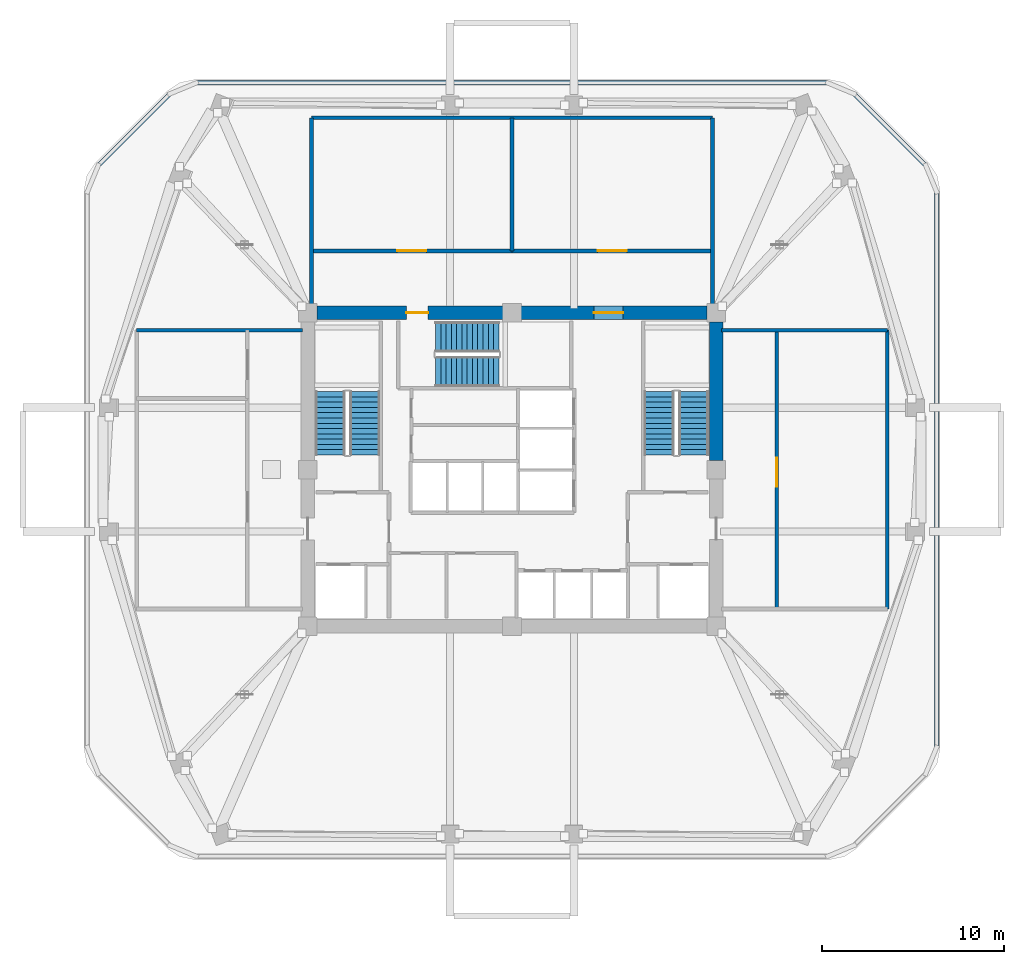
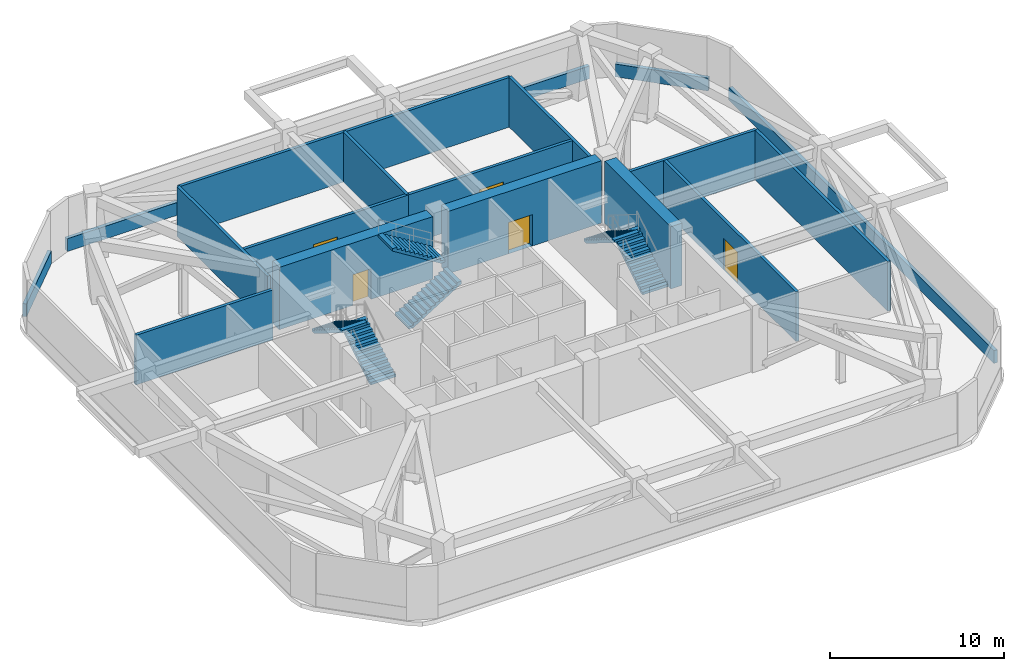
# One storey, part 5 of 8: 17 walls, 6 stair flights, 5 doors, 5 openings, 3 elements without a shape of their own.
"""IFC4 building model written with IfcOpenShell, lengths in metres."""

from ifc_helpers import new_model, si_unit, derived_unit, direction, frame, frame_2d, origin, place, context, subcontext, project, spatial, polyline, rectangle, outline, extrude, material, layer, layer_set, type_object, element, fill, aggregate, save


model = new_model("IFC4")

# Units and contexts
model_context = context("Model", 3, precision=1e-05, world=origin(), true_north=direction((0.0, 1.0)))
body_context = subcontext(model_context, "Body", "Model", "MODEL_VIEW")
ifc_project = project(units=[si_unit("LENGTHUNIT", "METRE"), si_unit("AREAUNIT", "SQUARE_METRE"), si_unit("VOLUMEUNIT", "CUBIC_METRE"), si_unit("PLANEANGLEUNIT", "RADIAN"), si_unit("MASSUNIT", "GRAM", prefix="KILO"), derived_unit("THERMALTRANSMITTANCEUNIT", [(si_unit("POWERUNIT", "WATT"), 1), (si_unit("LENGTHUNIT", "METRE"), -2), (si_unit("THERMODYNAMICTEMPERATUREUNIT", "KELVIN"), -1)])], contexts=[model_context])

# Site, building, storey
site_placement = place(None, origin())
site = spatial("IfcSite", under=ifc_project, at=site_placement, CompositionType="ELEMENT")
building_placement = place(site_placement, origin())
building = spatial("IfcBuilding", under=site, at=building_placement, Name="Koralith Skygarden Medical Center", CompositionType="ELEMENT")
storey_placement = place(building_placement, frame((0.0, 0.0, 178.02001953125)))
storey = spatial("IfcBuildingStorey", under=building, at=storey_placement, Name="L46", CompositionType="ELEMENT", Elevation=178.02001953125)

# Walls
ifc_material_1 = material(Name="Gypsum Board Partition")
ifc_layer_1 = layer(ifc_material_1, 0.199951171875)
ifc_layer_set_1 = layer_set([ifc_layer_1], Name="Gypsum Board Partition")
wall_type_1 = type_object("IfcWallType", Name="Fire Shaft Wall 200", PredefinedType="SOLIDWALL", material=ifc_layer_set_1)
for number, where, z_axis, x_axis, name in (
    (1, (26.0, 34.800048828125, 0.0), (0.0, 0.0, 1.0), (0.0, 1.0, 0.0), "L46 Fire Shaft Wall 200 W-PL-L46-NC-W"),
    (2, (48.0, 34.800048828125, 0.0), (0.0, 0.0, 1.0), (0.0, 1.0, 0.0), "L46 Fire Shaft Wall 200 W-PL-L46-NC-E"),
):
    element("IfcWall", number, at=place(storey_placement, frame(where, z_axis=z_axis, x_axis=x_axis)), inside=storey, type_object=wall_type_1, Name=name, PredefinedType="SOLIDWALL", context=body_context, shape_type="SweptSolid", body=[
        extrude(rectangle(XDim=10.39990234375, YDim=0.199951171875, at=frame_2d((5.199951171875, 0.0))), origin(), (0.0, 0.0, 1.0), 3.489990234375),
    ])
wall_1_placement = place(storey_placement, frame((26.0, 45.199951171875, 0.0), z_axis=(0.0, 0.0, 1.0), x_axis=(1.0, 0.0, 0.0)))
element("IfcWall", 3, at=wall_1_placement, inside=storey, type_object=wall_type_1, Name="L46 Fire Shaft Wall 200 W-PL-L46-NP-N", PredefinedType="SOLIDWALL", context=body_context, shape_type="SweptSolid", body=[
    extrude(rectangle(XDim=22.0, YDim=0.199951171875, at=frame_2d((11.0, 0.0))), origin(), (0.0, 0.0, 1.0), 3.489990234375),
])
wall_2_placement = place(storey_placement, frame((37.0, 37.89990234375, 0.0), z_axis=(0.0, 0.0, 1.0), x_axis=(0.0, 1.0, 0.0)))
element("IfcWall", 4, at=wall_2_placement, inside=storey, type_object=wall_type_1, Name="L46 Fire Shaft Wall 200 W-PL-L46-NP-M", PredefinedType="SOLIDWALL", context=body_context, shape_type="SweptSolid", body=[
    extrude(rectangle(XDim=7.300048828125, YDim=0.199951171875, at=frame_2d((3.64990234375, 0.0))), origin(), (0.0, 0.0, 1.0), 3.489990234375),
])

# Wall, opening, door
wall_3_placement = place(storey_placement, frame((26.0, 37.89990234375, 0.0), z_axis=(0.0, 0.0, 1.0), x_axis=(1.0, 0.0, 0.0)))
wall_3 = element("IfcWall", 5, at=wall_3_placement, inside=storey, type_object=wall_type_1, Name="L46 Fire Shaft Wall 200 W-PL-L46-NC-N1", PredefinedType="SOLIDWALL", context=body_context, shape_type="SweptSolid", body=[
    extrude(rectangle(XDim=11.0, YDim=0.199951171875, at=frame_2d((5.5, 0.0))), origin(), (0.0, 0.0, 1.0), 3.489990234375),
])
opening_1_placement = place(wall_3_placement, frame((4.699951171875, 0.0, 0.0)))
opening_1 = element("IfcOpeningElement", 6, at=opening_1_placement, cuts=wall_3, Name="Opening D-DBL", PredefinedType="OPENING", context=body_context, shape_type="SweptSolid", body=[
    extrude(rectangle(XDim=1.60009765625, YDim=2.199951171875, at=frame_2d((0.800048828125, 1.10009765625))), frame((0.0, 0.10986328125, 0.0), z_axis=(0.0, -1.0, 0.0), x_axis=(1.0, 0.0, 0.0)), (0.0, 0.0, 1.0), 0.219970703125),
])
ifc_material_2 = material(Name="Aluminium 6063-T6", Category="aluminium")
door_type_1 = type_object("IfcDoorType", Name="Double Clinical Suite Door D-DBL 1600", OperationType="NOTDEFINED", PredefinedType="DOOR", material=ifc_material_2)
door_1_placement = place(opening_1_placement, origin())
door_1 = element("IfcDoor", 7, at=door_1_placement, inside=storey, type_object=door_type_1, Name="L46 Central Chiller and Heat Rejection Plant Room Fire Door", OperationType="DOUBLE_DOOR_SINGLE_SWING", OverallHeight=2.199951171875, OverallWidth=1.60009765625, PredefinedType="DOOR", context=body_context, shape_type="SweptSolid", body=[
    extrude(rectangle(XDim=1.60009765625, YDim=2.199951171875, at=frame_2d((0.800048828125, 1.10009765625))), frame((0.0, 0.02490234375, 0.0), z_axis=(0.0, -1.0, 0.0), x_axis=(1.0, 0.0, 0.0)), (0.0, 0.0, 1.0), 0.050048828125),
])
fill(opening_1, door_1)

wall_4_placement = place(storey_placement, frame((37.0, 37.89990234375, 0.0), z_axis=(0.0, 0.0, 1.0), x_axis=(1.0, 0.0, 0.0)))
wall_4 = element("IfcWall", 8, at=wall_4_placement, inside=storey, type_object=wall_type_1, Name="L46 Fire Shaft Wall 200 W-PL-L46-NC-N2", PredefinedType="SOLIDWALL", context=body_context, shape_type="SweptSolid", body=[
    extrude(rectangle(XDim=11.0, YDim=0.199951171875, at=frame_2d((5.5, 0.0))), origin(), (0.0, 0.0, 1.0), 3.489990234375),
])
opening_2_placement = place(wall_4_placement, frame((4.699951171875, 0.0, 0.0)))
opening_2 = element("IfcOpeningElement", 9, at=opening_2_placement, cuts=wall_4, Name="Opening D-DBL", PredefinedType="OPENING", context=body_context, shape_type="SweptSolid", body=[
    extrude(rectangle(XDim=1.60009765625, YDim=2.199951171875, at=frame_2d((0.800048828125, 1.10009765625))), frame((0.0, 0.10986328125, 0.0), z_axis=(0.0, -1.0, 0.0), x_axis=(1.0, 0.0, 0.0)), (0.0, 0.0, 1.0), 0.219970703125),
])
door_2_placement = place(opening_2_placement, origin())
door_2 = element("IfcDoor", 10, at=door_2_placement, inside=storey, type_object=door_type_1, Name="L46 Clinical AHU and Essential Switchgear Plant Room Fire Door", OperationType="DOUBLE_DOOR_SINGLE_SWING", OverallHeight=2.199951171875, OverallWidth=1.60009765625, PredefinedType="DOOR", context=body_context, shape_type="SweptSolid", body=[
    extrude(rectangle(XDim=1.60009765625, YDim=2.199951171875, at=frame_2d((0.800048828125, 1.10009765625))), frame((0.0, 0.02490234375, 0.0), z_axis=(0.0, -1.0, 0.0), x_axis=(1.0, 0.0, 0.0)), (0.0, 0.0, 1.0), 0.050048828125),
])
fill(opening_2, door_2)

# Walls
for number, where, z_axis, x_axis, name in (
    (11, (16.39990234375, 33.550048828125, 0.0), (0.0, 0.0, 1.0), (1.0, 0.0, 0.0), "L46 Fire Shaft Wall 200 W-PL-L46-WC-N"),
    (12, (48.5, 33.550048828125, 0.0), (0.0, 0.0, 1.0), (1.0, 0.0, 0.0), "L46 Fire Shaft Wall 200 W-PL-L46-EC-N"),
):
    element("IfcWall", number, at=place(storey_placement, frame(where, z_axis=z_axis, x_axis=x_axis)), inside=storey, type_object=wall_type_1, Name=name, PredefinedType="SOLIDWALL", context=body_context, shape_type="SweptSolid", body=[
        extrude(rectangle(XDim=9.10009765625, YDim=0.199951171875, at=frame_2d((4.550048828125, 0.0))), origin(), (0.0, 0.0, 1.0), 3.489990234375),
    ])
wall_5_placement = place(storey_placement, frame((57.60009765625, 18.25, 0.0), z_axis=(0.0, 0.0, 1.0), x_axis=(0.0, 1.0, 0.0)))
element("IfcWall", 13, at=wall_5_placement, inside=storey, type_object=wall_type_1, Name="L46 Fire Shaft Wall 200 W-PL-L46-EP-E", PredefinedType="SOLIDWALL", context=body_context, shape_type="SweptSolid", body=[
    extrude(rectangle(XDim=15.300048828125, YDim=0.199951171875, at=frame_2d((7.64990234375, 0.0))), origin(), (0.0, 0.0, 1.0), 3.489990234375),
])

# Wall, opening, door
wall_6_placement = place(storey_placement, frame((51.52001953125, 18.25, 0.0), z_axis=(0.0, 0.0, 1.0), x_axis=(0.0, 1.0, 0.0)))
wall_6 = element("IfcWall", 14, at=wall_6_placement, inside=storey, type_object=wall_type_1, Name="L46 Fire Shaft Wall 200 W-PL-L46-EC-E1", PredefinedType="SOLIDWALL", context=body_context, shape_type="SweptSolid", body=[
    extrude(rectangle(XDim=15.300048828125, YDim=0.199951171875, at=frame_2d((7.64990234375, 0.0))), origin(), (0.0, 0.0, 1.0), 3.489990234375),
])
opening_3_placement = place(wall_6_placement, frame((6.699951171875, 0.0, 0.0)))
opening_3 = element("IfcOpeningElement", 15, at=opening_3_placement, cuts=wall_6, Name="Opening D-DBL", PredefinedType="OPENING", context=body_context, shape_type="SweptSolid", body=[
    extrude(rectangle(XDim=1.60009765625, YDim=2.199951171875, at=frame_2d((0.800048828125, 1.10009765625))), frame((0.0, 0.10986328125, 0.0), z_axis=(0.0, -1.0, 0.0), x_axis=(1.0, 0.0, 0.0)), (0.0, 0.0, 1.0), 0.219970703125),
])
door_3_placement = place(opening_3_placement, origin())
door_3 = element("IfcDoor", 16, at=door_3_placement, inside=storey, type_object=door_type_1, Name="L46 East Pressurized Smoke Refuge Area Fire Door", OperationType="DOUBLE_DOOR_SINGLE_SWING", OverallHeight=2.199951171875, OverallWidth=1.60009765625, PredefinedType="DOOR", context=body_context, shape_type="SweptSolid", body=[
    extrude(rectangle(XDim=1.60009765625, YDim=2.199951171875, at=frame_2d((0.800048828125, 1.10009765625))), frame((0.0, 0.02490234375, 0.0), z_axis=(0.0, -1.0, 0.0), x_axis=(1.0, 0.0, 0.0)), (0.0, 0.0, 1.0), 0.050048828125),
])
fill(opening_3, door_3)

# Walls
ifc_material_3 = material(Name="Warm Oolitic Limestone Cladding", Category="masonry")
ifc_layer_2 = layer(ifc_material_3, 0.239990234375)
ifc_layer_set_2 = layer_set([ifc_layer_2], Name="Warm Oolitic Limestone Cladding")
wall_type_2 = type_object("IfcWallType", Name="Limestone Spandrel Sill Backup Wall 240", PredefinedType="SOLIDWALL", material=ifc_layer_set_2)
wall_7_placement = place(storey_placement, frame((60.303955078125, 10.655029296875, 0.0), z_axis=(0.0, 0.0, 1.0), x_axis=(0.0, 1.0, 0.0)))
element("IfcWall", 17, at=wall_7_placement, inside=storey, type_object=wall_type_2, Name="L46 Plant Sill Backup Wall E", PredefinedType="SOLIDWALL", context=body_context, shape_type="SweptSolid", body=[
    extrude(rectangle(XDim=30.489990234375, YDim=0.239990234375, at=frame_2d((15.2451171875, 0.0))), origin(), (0.0, 0.0, 1.0), 0.89990234375),
])
wall_8_placement = place(storey_placement, frame((59.702880859375, 42.595947265625, 0.0), z_axis=(0.0, 0.0, 1.0), x_axis=(-0.707084777957, 0.707128783731, 0.0)))
element("IfcWall", 18, at=wall_8_placement, inside=storey, type_object=wall_type_2, Name="L46 Plant Sill Backup Wall NE", PredefinedType="SOLIDWALL", context=body_context, shape_type="SweptSolid", body=[
    extrude(rectangle(XDim=5.5478515625, YDim=0.239990234375, at=frame_2d((2.77392578125, 0.0))), origin(), (0.0, 0.0, 1.0), 0.89990234375),
])
wall_9_placement = place(storey_placement, frame((54.3291015625, 47.1201171875, 0.0), z_axis=(0.0, 0.0, 1.0), x_axis=(-1.0, 0.0, 0.0)))
element("IfcWall", 19, at=wall_9_placement, inside=storey, type_object=wall_type_2, Name="L46 Plant Sill Backup Wall N", PredefinedType="SOLIDWALL", context=body_context, shape_type="SweptSolid", body=[
    extrude(rectangle(XDim=34.658203125, YDim=0.239990234375, at=frame_2d((17.3291015625, 0.0))), origin(), (0.0, 0.0, 1.0), 0.89990234375),
])
wall_10_placement = place(storey_placement, frame((18.219970703125, 46.51904296875, 0.0), z_axis=(0.0, 0.0, 1.0), x_axis=(-0.707084777957, -0.707128783731, 0.0)))
element("IfcWall", 20, at=wall_10_placement, inside=storey, type_object=wall_type_2, Name="L46 Plant Sill Backup Wall NW", PredefinedType="SOLIDWALL", context=body_context, shape_type="SweptSolid", body=[
    extrude(rectangle(XDim=5.5478515625, YDim=0.239990234375, at=frame_2d((2.77392578125, 0.0))), origin(), (0.0, 0.0, 1.0), 0.89990234375),
])
ifc_material_4 = material(Name="Concrete C70/85", Category="concrete")
ifc_layer_3 = layer(ifc_material_4, 0.75)
ifc_layer_set_3 = layer_set([ifc_layer_3], Name="Concrete C70/85")
wall_type_3 = type_object("IfcWallType", Name="Mid Core Shear Wall 750", PredefinedType="SHEAR", material=ifc_layer_set_3)
wall_11_placement = place(storey_placement, frame((48.199951171875, 26.405029296875, 0.0), z_axis=(0.0, 0.0, 1.0), x_axis=(0.0, 1.0, 0.0)))
element("IfcWall", 21, at=wall_11_placement, inside=storey, type_object=wall_type_3, Name="L46 Core Shear Wall Segment 4", PredefinedType="SHEAR", context=body_context, shape_type="SweptSolid", body=[
    extrude(rectangle(XDim=7.590087890625, YDim=0.75, at=frame_2d((3.794921875, 0.0))), origin(), (0.0, 0.0, 1.0), 4.3798828125),
])

# Wall, opening, door
wall_12_placement = place(storey_placement, frame((47.695068359375, 34.5, 0.0), z_axis=(0.0, 0.0, 1.0), x_axis=(-1.0, 0.0, 0.0)))
wall_12 = element("IfcWall", 22, at=wall_12_placement, inside=storey, type_object=wall_type_3, Name="L46 Core Shear Wall Segment 5", PredefinedType="SHEAR", context=body_context, shape_type="SweptSolid", body=[
    extrude(rectangle(XDim=10.190185546875, YDim=0.75, at=frame_2d((5.09521484375, 0.0))), origin(), (0.0, 0.0, 1.0), 4.3798828125),
])
opening_4_placement = place(wall_12_placement, frame((4.594970703125, 0.0, 0.0)))
opening_4 = element("IfcOpeningElement", 23, at=opening_4_placement, cuts=wall_12, Name="Opening D-DBL", PredefinedType="OPENING", context=body_context, shape_type="SweptSolid", body=[
    extrude(rectangle(XDim=1.60009765625, YDim=2.199951171875, at=frame_2d((0.800048828125, 1.10009765625))), frame((0.0, 0.385009765625, 0.0), z_axis=(0.0, -1.0, 0.0), x_axis=(1.0, 0.0, 0.0)), (0.0, 0.0, 1.0), 0.77001953125),
])
door_4_placement = place(opening_4_placement, frame((1.60009765625, 0.0, 0.0), z_axis=(0.0, 0.0, 1.0), x_axis=(-1.0, 0.0, 0.0)))
door_4 = element("IfcDoor", 24, at=door_4_placement, inside=storey, type_object=door_type_1, Name="L46 North-East Corridor to Elevator Lobby Door", OperationType="DOUBLE_DOOR_SINGLE_SWING", OverallHeight=2.199951171875, OverallWidth=1.60009765625, PredefinedType="DOOR", context=body_context, shape_type="SweptSolid", body=[
    extrude(rectangle(XDim=1.60009765625, YDim=2.199951171875, at=frame_2d((0.800048828125, 1.10009765625))), frame((0.0, 0.02490234375, 0.0), z_axis=(0.0, -1.0, 0.0), x_axis=(1.0, 0.0, 0.0)), (0.0, 0.0, 1.0), 0.050048828125),
])
fill(opening_4, door_4)

wall_13_placement = place(storey_placement, frame((36.4951171875, 34.5, 0.0), z_axis=(0.0, 0.0, 1.0), x_axis=(-1.0, 0.0, 0.0)))
wall_13 = element("IfcWall", 25, at=wall_13_placement, inside=storey, type_object=wall_type_3, Name="L46 Core Shear Wall Segment 6", PredefinedType="SHEAR", context=body_context, shape_type="SweptSolid", body=[
    extrude(rectangle(XDim=10.190185546875, YDim=0.75, at=frame_2d((5.09521484375, 0.0))), origin(), (0.0, 0.0, 1.0), 4.3798828125),
])
opening_5_placement = place(wall_13_placement, frame((4.094970703125, 0.0, 0.0)))
opening_5 = element("IfcOpeningElement", 26, at=opening_5_placement, cuts=wall_13, Name="Opening D-ST60", PredefinedType="OPENING", context=body_context, shape_type="SweptSolid", body=[
    extrude(rectangle(XDim=1.199951171875, YDim=2.14990234375, at=frame_2d((0.60009765625, 1.074951171875))), frame((0.0, 0.385009765625, 0.0), z_axis=(0.0, -1.0, 0.0), x_axis=(1.0, 0.0, 0.0)), (0.0, 0.0, 1.0), 0.77001953125),
])
ifc_material_5 = material(Name="Steel ASTM A500 Grade C", Category="steel")
door_type_2 = type_object("IfcDoorType", Name="Smokeproof Stair Fire Door FD60S 1200", OperationType="NOTDEFINED", PredefinedType="DOOR", material=ifc_material_5)
door_5_placement = place(opening_5_placement, frame((1.199951171875, 0.0, 0.0), z_axis=(0.0, 0.0, 1.0), x_axis=(-1.0, 0.0, 0.0)))
door_5 = element("IfcDoor", 27, at=door_5_placement, inside=storey, type_object=door_type_2, Name="L46 Exit Stair ST3 Fire Door", OperationType="SINGLE_SWING_LEFT", OverallHeight=2.14990234375, OverallWidth=1.199951171875, PredefinedType="DOOR", context=body_context, shape_type="SweptSolid", body=[
    extrude(rectangle(XDim=1.199951171875, YDim=2.14990234375, at=frame_2d((0.60009765625, 1.074951171875))), frame((0.0, 0.02490234375, 0.0), z_axis=(0.0, -1.0, 0.0), x_axis=(1.0, 0.0, 0.0)), (0.0, 0.0, 1.0), 0.050048828125),
])
fill(opening_5, door_5)

# Stair, stair flights
ifc_material_6 = material(Name="Concrete C45/55", Category="concrete")
stair_type = type_object("IfcStairType", Name="Core Exit Dogleg Concrete Stair", PredefinedType="HALF_TURN_STAIR", material=ifc_material_6)
stair_1_placement = place(storey_placement, origin())
stair_1 = element("IfcStair", 28, at=stair_1_placement, inside=storey, type_object=stair_type, Name="L46 Smokeproof Exit Stair ST1", PredefinedType="HALF_TURN_STAIR")
stair_flight_type = type_object("IfcStairFlightType", Name="Core Exit Concrete Stair Flight 1650", PredefinedType="STRAIGHT", material=ifc_material_6)
stair_flight_1_placement = place(storey_placement, frame((28.925048828125, 26.699951171875, 0.0), z_axis=(0.0, 0.0, 1.0), x_axis=(0.0, 1.0, 0.0)))
stair_flight_1 = element("IfcStairFlight", 29, at=stair_flight_1_placement, type_object=stair_flight_type, Name="ST1 flight 1", NumberOfRisers=13, NumberOfTreads=12, PredefinedType="STRAIGHT", RiserHeight=0.18, TreadLength=0.29, context=body_context, shape_type="SweptSolid", body=[
    extrude(outline(polyline([(0.0, 0.0), (0.0, 0.179931640625), (0.2900390625, 0.179931640625), (0.2900390625, 0.360107421875), (0.580078125, 0.360107421875), (0.580078125, 0.5400390625), (0.8701171875, 0.5400390625), (0.8701171875, 0.719970703125), (1.159912109375, 0.719970703125), (1.159912109375, 0.89990234375), (1.449951171875, 0.89990234375), (1.449951171875, 1.080078125), (1.739990234375, 1.080078125), (1.739990234375, 1.260009765625), (2.030029296875, 1.260009765625), (2.030029296875, 1.43994140625), (2.320068359375, 1.43994140625), (2.320068359375, 1.6201171875), (2.610107421875, 1.6201171875), (2.610107421875, 1.800048828125), (2.89990234375, 1.800048828125), (2.89990234375, 1.97998046875), (3.18994140625, 1.97998046875), (3.18994140625, 2.159912109375), (3.47998046875, 2.159912109375), (3.47998046875, 2.340087890625), (3.47998046875, 1.983642578125), (0.2841796875, 0.0), (0.0, 0.0)])), frame((0.0, 0.824951171875, 0.0), z_axis=(0.0, -1.0, 0.0), x_axis=(1.0, 0.0, 0.0)), (0.0, 0.0, 1.0), 1.64990234375),
])
stair_flight_2_placement = place(storey_placement, frame((27.02490234375, 30.179931640625, 2.340087890625), z_axis=(0.0, 0.0, 1.0), x_axis=(0.0, -1.0, 0.0)))
stair_flight_2 = element("IfcStairFlight", 30, at=stair_flight_2_placement, type_object=stair_flight_type, Name="ST1 flight 2", NumberOfRisers=13, NumberOfTreads=12, PredefinedType="STRAIGHT", RiserHeight=0.18, TreadLength=0.29, context=body_context, shape_type="SweptSolid", body=[
    extrude(outline(polyline([(0.0, 0.0), (0.0, 0.179931640625), (0.2900390625, 0.179931640625), (0.2900390625, 0.360107421875), (0.580078125, 0.360107421875), (0.580078125, 0.5400390625), (0.8701171875, 0.5400390625), (0.8701171875, 0.719970703125), (1.159912109375, 0.719970703125), (1.159912109375, 0.89990234375), (1.449951171875, 0.89990234375), (1.449951171875, 1.080078125), (1.739990234375, 1.080078125), (1.739990234375, 1.260009765625), (2.030029296875, 1.260009765625), (2.030029296875, 1.43994140625), (2.320068359375, 1.43994140625), (2.320068359375, 1.6201171875), (2.610107421875, 1.6201171875), (2.610107421875, 1.800048828125), (2.89990234375, 1.800048828125), (2.89990234375, 1.97998046875), (3.18994140625, 1.97998046875), (3.18994140625, 2.159912109375), (3.47998046875, 2.159912109375), (3.47998046875, 2.340087890625), (3.47998046875, 1.983642578125), (0.2841796875, 0.0), (0.0, 0.0)])), frame((0.0, 0.824951171875, 0.0), z_axis=(0.0, -1.0, 0.0), x_axis=(1.0, 0.0, 0.0)), (0.0, 0.0, 1.0), 1.64990234375),
])
aggregate(stair_1, [stair_flight_1, stair_flight_2])

stair_2_placement = place(storey_placement, origin())
stair_2 = element("IfcStair", 31, at=stair_2_placement, inside=storey, type_object=stair_type, Name="L46 Smokeproof Exit Stair ST2", PredefinedType="HALF_TURN_STAIR")
stair_flight_3_placement = place(storey_placement, frame((46.97509765625, 26.699951171875, 0.0), z_axis=(0.0, 0.0, 1.0), x_axis=(0.0, 1.0, 0.0)))
stair_flight_3 = element("IfcStairFlight", 32, at=stair_flight_3_placement, type_object=stair_flight_type, Name="ST2 flight 1", NumberOfRisers=13, NumberOfTreads=12, PredefinedType="STRAIGHT", RiserHeight=0.18, TreadLength=0.29, context=body_context, shape_type="SweptSolid", body=[
    extrude(outline(polyline([(0.0, 0.0), (0.0, 0.179931640625), (0.2900390625, 0.179931640625), (0.2900390625, 0.360107421875), (0.580078125, 0.360107421875), (0.580078125, 0.5400390625), (0.8701171875, 0.5400390625), (0.8701171875, 0.719970703125), (1.159912109375, 0.719970703125), (1.159912109375, 0.89990234375), (1.449951171875, 0.89990234375), (1.449951171875, 1.080078125), (1.739990234375, 1.080078125), (1.739990234375, 1.260009765625), (2.030029296875, 1.260009765625), (2.030029296875, 1.43994140625), (2.320068359375, 1.43994140625), (2.320068359375, 1.6201171875), (2.610107421875, 1.6201171875), (2.610107421875, 1.800048828125), (2.89990234375, 1.800048828125), (2.89990234375, 1.97998046875), (3.18994140625, 1.97998046875), (3.18994140625, 2.159912109375), (3.47998046875, 2.159912109375), (3.47998046875, 2.340087890625), (3.47998046875, 1.983642578125), (0.2841796875, 0.0), (0.0, 0.0)])), frame((0.0, 0.824951171875, 0.0), z_axis=(0.0, -1.0, 0.0), x_axis=(1.0, 0.0, 0.0)), (0.0, 0.0, 1.0), 1.64990234375),
])
stair_flight_4_placement = place(storey_placement, frame((45.074951171875, 30.179931640625, 2.340087890625), z_axis=(0.0, 0.0, 1.0), x_axis=(0.0, -1.0, 0.0)))
stair_flight_4 = element("IfcStairFlight", 33, at=stair_flight_4_placement, type_object=stair_flight_type, Name="ST2 flight 2", NumberOfRisers=13, NumberOfTreads=12, PredefinedType="STRAIGHT", RiserHeight=0.18, TreadLength=0.29, context=body_context, shape_type="SweptSolid", body=[
    extrude(outline(polyline([(0.0, 0.0), (0.0, 0.179931640625), (0.2900390625, 0.179931640625), (0.2900390625, 0.360107421875), (0.580078125, 0.360107421875), (0.580078125, 0.5400390625), (0.8701171875, 0.5400390625), (0.8701171875, 0.719970703125), (1.159912109375, 0.719970703125), (1.159912109375, 0.89990234375), (1.449951171875, 0.89990234375), (1.449951171875, 1.080078125), (1.739990234375, 1.080078125), (1.739990234375, 1.260009765625), (2.030029296875, 1.260009765625), (2.030029296875, 1.43994140625), (2.320068359375, 1.43994140625), (2.320068359375, 1.6201171875), (2.610107421875, 1.6201171875), (2.610107421875, 1.800048828125), (2.89990234375, 1.800048828125), (2.89990234375, 1.97998046875), (3.18994140625, 1.97998046875), (3.18994140625, 2.159912109375), (3.47998046875, 2.159912109375), (3.47998046875, 2.340087890625), (3.47998046875, 1.983642578125), (0.2841796875, 0.0), (0.0, 0.0)])), frame((0.0, 0.824951171875, 0.0), z_axis=(0.0, -1.0, 0.0), x_axis=(1.0, 0.0, 0.0)), (0.0, 0.0, 1.0), 1.64990234375),
])
aggregate(stair_2, [stair_flight_3, stair_flight_4])

stair_3_placement = place(storey_placement, origin())
stair_3 = element("IfcStair", 34, at=stair_3_placement, inside=storey, type_object=stair_type, Name="L46 Smokeproof Exit Stair ST3", PredefinedType="HALF_TURN_STAIR")
stair_flight_5_placement = place(storey_placement, frame((32.800048828125, 31.27490234375, 0.0), z_axis=(0.0, 0.0, 1.0), x_axis=(1.0, 0.0, 0.0)))
stair_flight_5 = element("IfcStairFlight", 35, at=stair_flight_5_placement, type_object=stair_flight_type, Name="ST3 flight 1", NumberOfRisers=13, NumberOfTreads=12, PredefinedType="STRAIGHT", RiserHeight=0.18, TreadLength=0.29, context=body_context, shape_type="SweptSolid", body=[
    extrude(outline(polyline([(0.0, 0.0), (0.0, 0.179931640625), (0.2900390625, 0.179931640625), (0.2900390625, 0.360107421875), (0.580078125, 0.360107421875), (0.580078125, 0.5400390625), (0.8701171875, 0.5400390625), (0.8701171875, 0.719970703125), (1.159912109375, 0.719970703125), (1.159912109375, 0.89990234375), (1.449951171875, 0.89990234375), (1.449951171875, 1.080078125), (1.739990234375, 1.080078125), (1.739990234375, 1.260009765625), (2.030029296875, 1.260009765625), (2.030029296875, 1.43994140625), (2.320068359375, 1.43994140625), (2.320068359375, 1.6201171875), (2.610107421875, 1.6201171875), (2.610107421875, 1.800048828125), (2.89990234375, 1.800048828125), (2.89990234375, 1.97998046875), (3.18994140625, 1.97998046875), (3.18994140625, 2.159912109375), (3.47998046875, 2.159912109375), (3.47998046875, 2.340087890625), (3.47998046875, 1.983642578125), (0.2841796875, 0.0), (0.0, 0.0)])), frame((0.0, 0.824951171875, 0.0), z_axis=(0.0, -1.0, 0.0), x_axis=(1.0, 0.0, 0.0)), (0.0, 0.0, 1.0), 1.64990234375),
])
stair_flight_6_placement = place(storey_placement, frame((36.280029296875, 33.175048828125, 2.340087890625), z_axis=(0.0, 0.0, 1.0), x_axis=(-1.0, 0.0, 0.0)))
stair_flight_6 = element("IfcStairFlight", 36, at=stair_flight_6_placement, type_object=stair_flight_type, Name="ST3 flight 2", NumberOfRisers=13, NumberOfTreads=12, PredefinedType="STRAIGHT", RiserHeight=0.18, TreadLength=0.29, context=body_context, shape_type="SweptSolid", body=[
    extrude(outline(polyline([(0.0, 0.0), (0.0, 0.179931640625), (0.2900390625, 0.179931640625), (0.2900390625, 0.360107421875), (0.580078125, 0.360107421875), (0.580078125, 0.5400390625), (0.8701171875, 0.5400390625), (0.8701171875, 0.719970703125), (1.159912109375, 0.719970703125), (1.159912109375, 0.89990234375), (1.449951171875, 0.89990234375), (1.449951171875, 1.080078125), (1.739990234375, 1.080078125), (1.739990234375, 1.260009765625), (2.030029296875, 1.260009765625), (2.030029296875, 1.43994140625), (2.320068359375, 1.43994140625), (2.320068359375, 1.6201171875), (2.610107421875, 1.6201171875), (2.610107421875, 1.800048828125), (2.89990234375, 1.800048828125), (2.89990234375, 1.97998046875), (3.18994140625, 1.97998046875), (3.18994140625, 2.159912109375), (3.47998046875, 2.159912109375), (3.47998046875, 2.340087890625), (3.47998046875, 1.983642578125), (0.2841796875, 0.0), (0.0, 0.0)])), frame((0.0, 0.824951171875, 0.0), z_axis=(0.0, -1.0, 0.0), x_axis=(1.0, 0.0, 0.0)), (0.0, 0.0, 1.0), 1.64990234375),
])
aggregate(stair_3, [stair_flight_5, stair_flight_6])

save(model, "model.ifc")
